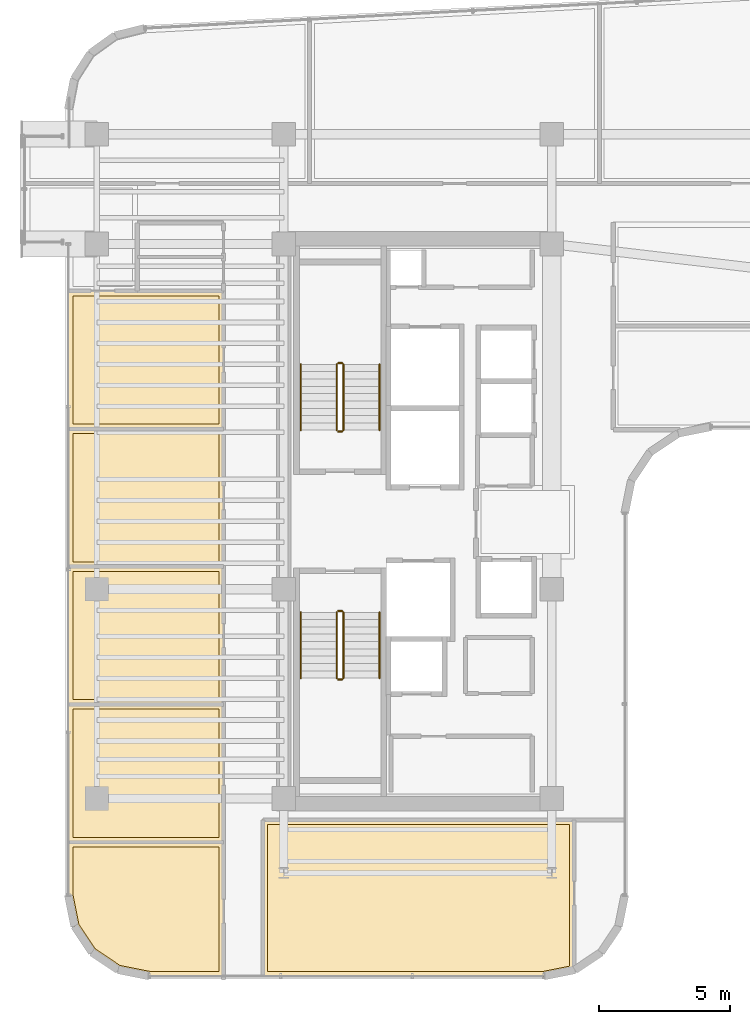
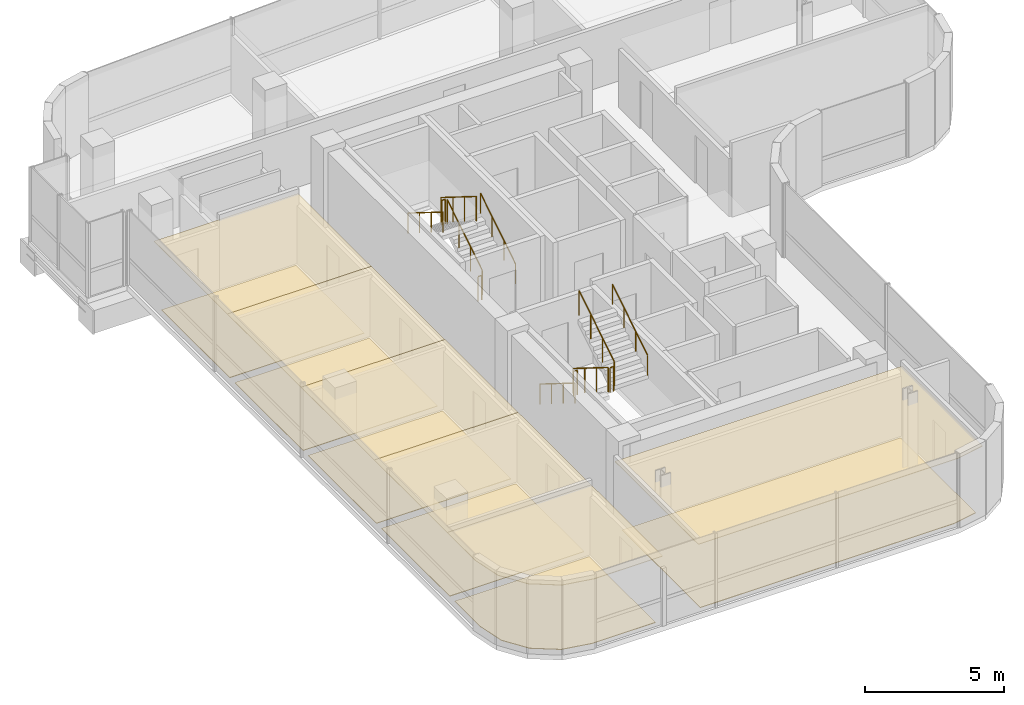
# One storey, part 20 of 21: 12 coverings, 12 railings.
"""IFC4 building model written with IfcOpenShell, lengths in metres."""

from ifc_helpers import new_model, si_unit, direction, frame, origin, origin_2d, place, context, subcontext, project, spatial, polyline, circle, outline, extrude, material, layer, layer_set, type_object, element, save


model = new_model("IFC4")

# Units and contexts
model_context = context("Model", 3, precision=1e-05, world=origin(), true_north=direction((0.0, 1.0)))
body_context = subcontext(model_context, "Body", "Model", "MODEL_VIEW")
ifc_project = project(units=[si_unit("LENGTHUNIT", "METRE"), si_unit("AREAUNIT", "SQUARE_METRE"), si_unit("VOLUMEUNIT", "CUBIC_METRE"), si_unit("PLANEANGLEUNIT", "RADIAN"), si_unit("MASSUNIT", "GRAM", prefix="KILO")], contexts=[model_context])

# Site, building, storey
site_placement = place(None, origin())
site = spatial("IfcSite", under=ifc_project, at=site_placement, CompositionType="ELEMENT")
building_placement = place(site_placement, origin())
building = spatial("IfcBuilding", under=site, at=building_placement, Name="Valdorenza Pilgrim Sanctuary Tower", CompositionType="ELEMENT")
storey_placement = place(building_placement, frame((0.0, 0.0, 219.5)))
storey = spatial("IfcBuildingStorey", under=building, at=storey_placement, Name="L56", CompositionType="ELEMENT", Elevation=219.5)

# Coverings
ifc_material_1 = material(Name="Micro-perforated acoustic mineral ceiling tile", Category="gypsum")
ifc_layer_1 = layer(ifc_material_1, 0.02490234375, Name="Micro-perforated acoustic mineral ceiling tile")
ifc_layer_set_1 = layer_set([ifc_layer_1], Name="Micro-perforated acoustic mineral ceiling tile")
covering_type_1 = type_object("IfcCoveringType", Name="COV-CLG-ACU", PredefinedType="CEILING", material=ifc_layer_set_1)
covering_1_placement = place(storey_placement, frame((0.0, 0.0, 2.9599609375)))
element("IfcCovering", 1, at=covering_1_placement, inside=storey, type_object=covering_type_1, Name="L56 Pilgrim Scholar Office L56-W1 Acoustic Ceiling", PredefinedType="CEILING", context=body_context, shape_type="SweptSolid", body=[
    extrude(outline(polyline([(-24.93505859375, -17.389892578125), (-24.93505859375, -17.3916015625), (-24.935302734375, -17.392822265625), (-24.935546875, -17.394287109375), (-24.93603515625, -17.395751953125), (-24.936767578125, -17.397216796875), (-24.9375, -17.398193359375), (-24.9384765625, -17.3994140625), (-24.939453125, -17.400634765625), (-24.9404296875, -17.401611328125), (-24.941650390625, -17.402587890625), (-24.94287109375, -17.4033203125), (-24.9443359375, -17.40380859375), (-24.945556640625, -17.404296875), (-24.947021484375, -17.40478515625), (-24.948486328125, -17.40478515625), (-24.949951171875, -17.405029296875), (-27.789306640625, -17.405029296875), (-27.79052734375, -17.40478515625), (-27.7919921875, -17.40478515625), (-28.984619140625, -17.16748046875), (-28.986083984375, -17.1669921875), (-28.9873046875, -17.16650390625), (-28.98876953125, -17.166015625), (-28.989990234375, -17.165283203125), (-29.99169921875, -16.495849609375), (-29.992919921875, -16.4951171875), (-29.993896484375, -16.493896484375), (-29.9951171875, -16.492919921875), (-29.995849609375, -16.49169921875), (-30.665283203125, -15.489990234375), (-30.666015625, -15.48876953125), (-30.66650390625, -15.4873046875), (-30.6669921875, -15.486083984375), (-30.66748046875, -15.484619140625), (-30.90478515625, -14.2919921875), (-30.90478515625, -14.29052734375), (-30.905029296875, -14.289306640625), (-30.905029296875, -12.27197265625), (-30.90478515625, -12.2705078125), (-30.90478515625, -12.26904296875), (-30.904296875, -12.267578125), (-30.90380859375, -12.266357421875), (-30.9033203125, -12.264892578125), (-30.902587890625, -12.263671875), (-30.901611328125, -12.262451171875), (-30.900634765625, -12.261474609375), (-30.8994140625, -12.260498046875), (-30.898193359375, -12.259521484375), (-30.897216796875, -12.2587890625), (-30.895751953125, -12.258056640625), (-30.894287109375, -12.257568359375), (-30.892822265625, -12.25732421875), (-30.8916015625, -12.257080078125), (-30.889892578125, -12.257080078125), (-24.949951171875, -12.257080078125), (-24.948486328125, -12.257080078125), (-24.947021484375, -12.25732421875), (-24.945556640625, -12.257568359375), (-24.9443359375, -12.258056640625), (-24.94287109375, -12.2587890625), (-24.941650390625, -12.259521484375), (-24.9404296875, -12.260498046875), (-24.939453125, -12.261474609375), (-24.9384765625, -12.262451171875), (-24.9375, -12.263671875), (-24.936767578125, -12.264892578125), (-24.93603515625, -12.266357421875), (-24.935546875, -12.267578125), (-24.935302734375, -12.26904296875), (-24.93505859375, -12.2705078125), (-24.93505859375, -12.27197265625), (-24.93505859375, -17.389892578125)])), origin(), (0.0, 0.0, 1.0), 0.025146484375),
])
covering_2_placement = place(storey_placement, frame((0.0, 0.0, 2.9599609375)))
element("IfcCovering", 2, at=covering_2_placement, inside=storey, type_object=covering_type_1, Name="L56 Pilgrim Scholar Office L56-W2 Acoustic Ceiling", PredefinedType="CEILING", context=body_context, shape_type="SweptSolid", body=[
    extrude(outline(polyline([(-24.93505859375, -12.27001953125), (-24.93505859375, -12.271484375), (-24.935302734375, -12.27294921875), (-24.935546875, -12.2744140625), (-24.93603515625, -12.275634765625), (-24.936767578125, -12.277099609375), (-24.9375, -12.2783203125), (-24.9384765625, -12.279541015625), (-24.939453125, -12.280517578125), (-24.9404296875, -12.281494140625), (-24.941650390625, -12.282470703125), (-24.94287109375, -12.283203125), (-24.9443359375, -12.283935546875), (-24.945556640625, -12.284423828125), (-24.947021484375, -12.28466796875), (-24.948486328125, -12.284912109375), (-24.949951171875, -12.284912109375), (-30.889892578125, -12.284912109375), (-30.8916015625, -12.284912109375), (-30.892822265625, -12.28466796875), (-30.894287109375, -12.284423828125), (-30.895751953125, -12.283935546875), (-30.897216796875, -12.283203125), (-30.898193359375, -12.282470703125), (-30.8994140625, -12.281494140625), (-30.900634765625, -12.280517578125), (-30.901611328125, -12.279541015625), (-30.902587890625, -12.2783203125), (-30.9033203125, -12.277099609375), (-30.90380859375, -12.275634765625), (-30.904296875, -12.2744140625), (-30.90478515625, -12.27294921875), (-30.90478515625, -12.271484375), (-30.905029296875, -12.27001953125), (-30.905029296875, -7.00390625), (-30.90478515625, -7.00244140625), (-30.90478515625, -7.001220703125), (-30.904296875, -6.99951171875), (-30.90380859375, -6.998291015625), (-30.9033203125, -6.996826171875), (-30.902587890625, -6.99560546875), (-30.901611328125, -6.994384765625), (-30.900634765625, -6.993408203125), (-30.8994140625, -6.992431640625), (-30.898193359375, -6.991455078125), (-30.897216796875, -6.99072265625), (-30.895751953125, -6.989990234375), (-30.894287109375, -6.989501953125), (-30.892822265625, -6.9892578125), (-30.8916015625, -6.989013671875), (-30.889892578125, -6.989013671875), (-24.949951171875, -6.989013671875), (-24.948486328125, -6.989013671875), (-24.947021484375, -6.9892578125), (-24.945556640625, -6.989501953125), (-24.9443359375, -6.989990234375), (-24.94287109375, -6.99072265625), (-24.941650390625, -6.991455078125), (-24.9404296875, -6.992431640625), (-24.939453125, -6.993408203125), (-24.9384765625, -6.994384765625), (-24.9375, -6.99560546875), (-24.936767578125, -6.996826171875), (-24.93603515625, -6.998291015625), (-24.935546875, -6.99951171875), (-24.935302734375, -7.001220703125), (-24.93505859375, -7.00244140625), (-24.93505859375, -7.00390625), (-24.93505859375, -12.27001953125)])), origin(), (0.0, 0.0, 1.0), 0.025146484375),
])
covering_3_placement = place(storey_placement, frame((0.0, 0.0, 2.9599609375)))
element("IfcCovering", 3, at=covering_3_placement, inside=storey, type_object=covering_type_1, Name="L56 Pilgrim Scholar Office L56-W3 Acoustic Ceiling", PredefinedType="CEILING", context=body_context, shape_type="SweptSolid", body=[
    extrude(outline(polyline([(-24.93505859375, -7.001953125), (-24.93505859375, -7.00341796875), (-24.935302734375, -7.0048828125), (-24.935546875, -7.00634765625), (-24.93603515625, -7.0078125), (-24.936767578125, -7.009033203125), (-24.9375, -7.01025390625), (-24.9384765625, -7.011474609375), (-24.939453125, -7.0126953125), (-24.9404296875, -7.013671875), (-24.941650390625, -7.014404296875), (-24.94287109375, -7.01513671875), (-24.9443359375, -7.015869140625), (-24.945556640625, -7.016357421875), (-24.947021484375, -7.0166015625), (-24.948486328125, -7.016845703125), (-24.949951171875, -7.01708984375), (-30.889892578125, -7.01708984375), (-30.8916015625, -7.016845703125), (-30.892822265625, -7.0166015625), (-30.894287109375, -7.016357421875), (-30.895751953125, -7.015869140625), (-30.897216796875, -7.01513671875), (-30.898193359375, -7.014404296875), (-30.8994140625, -7.013671875), (-30.900634765625, -7.0126953125), (-30.901611328125, -7.011474609375), (-30.902587890625, -7.01025390625), (-30.9033203125, -7.009033203125), (-30.90380859375, -7.0078125), (-30.904296875, -7.00634765625), (-30.90478515625, -7.0048828125), (-30.90478515625, -7.00341796875), (-30.905029296875, -7.001953125), (-30.905029296875, -1.736083984375), (-30.90478515625, -1.734619140625), (-30.90478515625, -1.733154296875), (-30.904296875, -1.731689453125), (-30.90380859375, -1.730224609375), (-30.9033203125, -1.72900390625), (-30.902587890625, -1.727783203125), (-30.901611328125, -1.7265625), (-30.900634765625, -1.725341796875), (-30.8994140625, -1.724365234375), (-30.898193359375, -1.723388671875), (-30.897216796875, -1.722900390625), (-30.895751953125, -1.72216796875), (-30.894287109375, -1.7216796875), (-30.892822265625, -1.72119140625), (-30.8916015625, -1.72119140625), (-30.889892578125, -1.720947265625), (-24.949951171875, -1.720947265625), (-24.948486328125, -1.72119140625), (-24.947021484375, -1.72119140625), (-24.945556640625, -1.7216796875), (-24.9443359375, -1.72216796875), (-24.94287109375, -1.722900390625), (-24.941650390625, -1.723388671875), (-24.9404296875, -1.724365234375), (-24.939453125, -1.725341796875), (-24.9384765625, -1.7265625), (-24.9375, -1.727783203125), (-24.936767578125, -1.72900390625), (-24.93603515625, -1.730224609375), (-24.935546875, -1.731689453125), (-24.935302734375, -1.733154296875), (-24.93505859375, -1.734619140625), (-24.93505859375, -1.736083984375), (-24.93505859375, -7.001953125)])), origin(), (0.0, 0.0, 1.0), 0.025146484375),
])
covering_4_placement = place(storey_placement, frame((0.0, 0.0, 2.9599609375)))
element("IfcCovering", 4, at=covering_4_placement, inside=storey, type_object=covering_type_1, Name="L56 Pilgrim Scholar Office L56-W4 Acoustic Ceiling", PredefinedType="CEILING", context=body_context, shape_type="SweptSolid", body=[
    extrude(outline(polyline([(-24.93505859375, -1.73388671875), (-24.93505859375, -1.735595703125), (-24.935302734375, -1.73681640625), (-24.935546875, -1.73828125), (-24.93603515625, -1.73974609375), (-24.936767578125, -1.7412109375), (-24.9375, -1.7421875), (-24.9384765625, -1.743408203125), (-24.939453125, -1.74462890625), (-24.9404296875, -1.74560546875), (-24.941650390625, -1.74658203125), (-24.94287109375, -1.747314453125), (-24.9443359375, -1.747802734375), (-24.945556640625, -1.748291015625), (-24.947021484375, -1.748779296875), (-24.948486328125, -1.748779296875), (-24.949951171875, -1.7490234375), (-30.889892578125, -1.7490234375), (-30.8916015625, -1.748779296875), (-30.892822265625, -1.748779296875), (-30.894287109375, -1.748291015625), (-30.895751953125, -1.747802734375), (-30.897216796875, -1.747314453125), (-30.898193359375, -1.74658203125), (-30.8994140625, -1.74560546875), (-30.900634765625, -1.74462890625), (-30.901611328125, -1.743408203125), (-30.902587890625, -1.7421875), (-30.9033203125, -1.7412109375), (-30.90380859375, -1.73974609375), (-30.904296875, -1.73828125), (-30.90478515625, -1.73681640625), (-30.90478515625, -1.735595703125), (-30.905029296875, -1.73388671875), (-30.905029296875, 3.531982421875), (-30.90478515625, 3.533447265625), (-30.90478515625, 3.534912109375), (-30.904296875, 3.536376953125), (-30.90380859375, 3.53759765625), (-30.9033203125, 3.5390625), (-30.902587890625, 3.540283203125), (-30.901611328125, 3.54150390625), (-30.900634765625, 3.54248046875), (-30.8994140625, 3.543701171875), (-30.898193359375, 3.54443359375), (-30.897216796875, 3.545166015625), (-30.895751953125, 3.5458984375), (-30.894287109375, 3.54638671875), (-30.892822265625, 3.546630859375), (-30.8916015625, 3.546875), (-30.889892578125, 3.547119140625), (-24.949951171875, 3.547119140625), (-24.948486328125, 3.546875), (-24.947021484375, 3.546630859375), (-24.945556640625, 3.54638671875), (-24.9443359375, 3.5458984375), (-24.94287109375, 3.545166015625), (-24.941650390625, 3.54443359375), (-24.9404296875, 3.543701171875), (-24.939453125, 3.54248046875), (-24.9384765625, 3.54150390625), (-24.9375, 3.540283203125), (-24.936767578125, 3.5390625), (-24.93603515625, 3.53759765625), (-24.935546875, 3.536376953125), (-24.935302734375, 3.534912109375), (-24.93505859375, 3.533447265625), (-24.93505859375, 3.531982421875), (-24.93505859375, -1.73388671875)])), origin(), (0.0, 0.0, 1.0), 0.025146484375),
])
covering_5_placement = place(storey_placement, frame((0.0, 0.0, 2.9599609375)))
element("IfcCovering", 5, at=covering_5_placement, inside=storey, type_object=covering_type_1, Name="L56 Pilgrim Scholar Office L56-W5 Acoustic Ceiling", PredefinedType="CEILING", context=body_context, shape_type="SweptSolid", body=[
    extrude(outline(polyline([(-28.253662109375, 8.81298828125), (-28.253173828125, 8.81298828125), (-28.25146484375, 8.813232421875), (-28.25, 8.813232421875), (-28.24853515625, 8.81298828125), (-28.248291015625, 8.81298828125), (-24.949951171875, 8.81298828125), (-24.948486328125, 8.81298828125), (-24.947021484375, 8.812744140625), (-24.945556640625, 8.8125), (-24.9443359375, 8.81201171875), (-24.94287109375, 8.811279296875), (-24.941650390625, 8.810546875), (-24.9404296875, 8.8095703125), (-24.939453125, 8.80859375), (-24.9384765625, 8.8076171875), (-24.9375, 8.806396484375), (-24.936767578125, 8.80517578125), (-24.93603515625, 8.8037109375), (-24.935546875, 8.802490234375), (-24.935302734375, 8.80078125), (-24.93505859375, 8.799560546875), (-24.93505859375, 8.798095703125), (-24.93505859375, 3.533935546875), (-24.93505859375, 3.532470703125), (-24.935302734375, 3.531005859375), (-24.935546875, 3.529541015625), (-24.93603515625, 3.5283203125), (-24.936767578125, 3.52685546875), (-24.9375, 3.525634765625), (-24.9384765625, 3.5244140625), (-24.939453125, 3.5234375), (-24.9404296875, 3.5224609375), (-24.941650390625, 3.521484375), (-24.94287109375, 3.520751953125), (-24.9443359375, 3.52001953125), (-24.945556640625, 3.51953125), (-24.947021484375, 3.519287109375), (-24.948486328125, 3.51904296875), (-24.949951171875, 3.51904296875), (-30.889892578125, 3.51904296875), (-30.8916015625, 3.51904296875), (-30.892822265625, 3.519287109375), (-30.894287109375, 3.51953125), (-30.895751953125, 3.52001953125), (-30.897216796875, 3.520751953125), (-30.898193359375, 3.521484375), (-30.8994140625, 3.5224609375), (-30.900634765625, 3.5234375), (-30.901611328125, 3.5244140625), (-30.902587890625, 3.525634765625), (-30.9033203125, 3.52685546875), (-30.90380859375, 3.5283203125), (-30.904296875, 3.529541015625), (-30.90478515625, 3.531005859375), (-30.90478515625, 3.532470703125), (-30.905029296875, 3.533935546875), (-30.905029296875, 8.798095703125), (-30.90478515625, 8.799560546875), (-30.90478515625, 8.80078125), (-30.904296875, 8.802490234375), (-30.90380859375, 8.8037109375), (-30.9033203125, 8.80517578125), (-30.902587890625, 8.806396484375), (-30.901611328125, 8.8076171875), (-30.900634765625, 8.80859375), (-30.8994140625, 8.8095703125), (-30.898193359375, 8.810546875), (-30.897216796875, 8.811279296875), (-30.895751953125, 8.81201171875), (-30.894287109375, 8.8125), (-30.892822265625, 8.812744140625), (-30.8916015625, 8.81298828125), (-30.889892578125, 8.81298828125), (-28.253662109375, 8.81298828125)])), origin(), (0.0, 0.0, 1.0), 0.025146484375),
])
covering_6_placement = place(storey_placement, frame((0.0, 0.0, 2.9599609375)))
element("IfcCovering", 6, at=covering_6_placement, inside=storey, type_object=covering_type_1, Name="L56 South Contemplation Lounge L56 Acoustic Ceiling", PredefinedType="CEILING", context=body_context, shape_type="SweptSolid", body=[
    extrude(outline(polyline([(-11.550048828125, -11.405029296875), (-11.548583984375, -11.405029296875), (-11.547119140625, -11.4052734375), (-11.545654296875, -11.405517578125), (-11.544189453125, -11.406005859375), (-11.54296875, -11.40673828125), (-11.541748046875, -11.407470703125), (-11.54052734375, -11.408447265625), (-11.539306640625, -11.409423828125), (-11.538330078125, -11.410400390625), (-11.53759765625, -11.41162109375), (-11.536865234375, -11.412841796875), (-11.5361328125, -11.414306640625), (-11.53564453125, -11.41552734375), (-11.535400390625, -11.4169921875), (-11.53515625, -11.41845703125), (-11.534912109375, -11.419921875), (-11.534912109375, -17.1591796875), (-11.53515625, -17.16064453125), (-11.535400390625, -17.162109375), (-11.53564453125, -17.163330078125), (-11.5361328125, -17.164794921875), (-11.536865234375, -17.166259765625), (-11.53759765625, -17.16748046875), (-11.538330078125, -17.168701171875), (-11.539306640625, -17.169677734375), (-11.54052734375, -17.170654296875), (-11.541748046875, -17.171630859375), (-11.54296875, -17.17236328125), (-11.544189453125, -17.1728515625), (-11.545654296875, -17.17333984375), (-11.547119140625, -17.173828125), (-12.7080078125, -17.40478515625), (-12.70947265625, -17.40478515625), (-12.710693359375, -17.405029296875), (-23.449951171875, -17.405029296875), (-23.451416015625, -17.40478515625), (-23.452880859375, -17.40478515625), (-23.454345703125, -17.404296875), (-23.455810546875, -17.40380859375), (-23.45703125, -17.4033203125), (-23.458251953125, -17.402587890625), (-23.45947265625, -17.401611328125), (-23.460693359375, -17.400634765625), (-23.461669921875, -17.3994140625), (-23.46240234375, -17.398193359375), (-23.463134765625, -17.397216796875), (-23.4638671875, -17.395751953125), (-23.46435546875, -17.394287109375), (-23.464599609375, -17.392822265625), (-23.46484375, -17.3916015625), (-23.465087890625, -17.389892578125), (-23.465087890625, -11.419921875), (-23.46484375, -11.41845703125), (-23.464599609375, -11.4169921875), (-23.46435546875, -11.41552734375), (-23.4638671875, -11.414306640625), (-23.463134765625, -11.412841796875), (-23.46240234375, -11.41162109375), (-23.461669921875, -11.410400390625), (-23.460693359375, -11.409423828125), (-23.45947265625, -11.408447265625), (-23.458251953125, -11.407470703125), (-23.45703125, -11.40673828125), (-23.455810546875, -11.406005859375), (-23.454345703125, -11.405517578125), (-23.452880859375, -11.4052734375), (-23.451416015625, -11.405029296875), (-23.449951171875, -11.405029296875), (-11.550048828125, -11.405029296875)])), origin(), (0.0, 0.0, 1.0), 0.025146484375),
])
ifc_material_2 = material(Name="Honed travertine stone flooring", Category="masonry")
ifc_layer_2 = layer(ifc_material_2, 0.030029296875, Name="Honed travertine stone flooring")
ifc_layer_set_2 = layer_set([ifc_layer_2], Name="Honed travertine stone flooring")
covering_type_2 = type_object("IfcCoveringType", Name="COV-FLR-TRV", PredefinedType="FLOORING", material=ifc_layer_set_2)
covering_7_placement = place(storey_placement, origin())
element("IfcCovering", 7, at=covering_7_placement, inside=storey, type_object=covering_type_2, Name="L56 Pilgrim Scholar Office L56-W1 Flooring", PredefinedType="FLOORING", context=body_context, shape_type="SweptSolid", body=[
    extrude(outline(polyline([(-25.1298828125, -17.2099609375), (-27.771484375, -17.2099609375), (-28.911376953125, -16.983154296875), (-29.853515625, -16.353515625), (-30.483154296875, -15.411376953125), (-30.7099609375, -14.271484375), (-30.7099609375, -12.451904296875), (-25.1298828125, -12.451904296875), (-25.1298828125, -17.2099609375)])), origin(), (0.0, 0.0, 1.0), 0.02490234375),
])
covering_8_placement = place(storey_placement, origin())
element("IfcCovering", 8, at=covering_8_placement, inside=storey, type_object=covering_type_2, Name="L56 Pilgrim Scholar Office L56-W2 Flooring", PredefinedType="FLOORING", context=body_context, shape_type="SweptSolid", body=[
    extrude(outline(polyline([(-25.1298828125, -12.090087890625), (-30.7099609375, -12.090087890625), (-30.7099609375, -7.18408203125), (-25.1298828125, -7.18408203125), (-25.1298828125, -12.090087890625)])), origin(), (0.0, 0.0, 1.0), 0.02490234375),
])
covering_9_placement = place(storey_placement, origin())
element("IfcCovering", 9, at=covering_9_placement, inside=storey, type_object=covering_type_2, Name="L56 Pilgrim Scholar Office L56-W3 Flooring", PredefinedType="FLOORING", context=body_context, shape_type="SweptSolid", body=[
    extrude(outline(polyline([(-25.1298828125, -6.822021484375), (-30.7099609375, -6.822021484375), (-30.7099609375, -1.916015625), (-25.1298828125, -1.916015625), (-25.1298828125, -6.822021484375)])), origin(), (0.0, 0.0, 1.0), 0.02490234375),
])
covering_10_placement = place(storey_placement, origin())
element("IfcCovering", 10, at=covering_10_placement, inside=storey, type_object=covering_type_2, Name="L56 Pilgrim Scholar Office L56-W4 Flooring", PredefinedType="FLOORING", context=body_context, shape_type="SweptSolid", body=[
    extrude(outline(polyline([(-25.1298828125, -1.553955078125), (-30.7099609375, -1.553955078125), (-30.7099609375, 3.35205078125), (-25.1298828125, 3.35205078125), (-25.1298828125, -1.553955078125)])), origin(), (0.0, 0.0, 1.0), 0.02490234375),
])
covering_11_placement = place(storey_placement, origin())
element("IfcCovering", 11, at=covering_11_placement, inside=storey, type_object=covering_type_2, Name="L56 Pilgrim Scholar Office L56-W5 Flooring", PredefinedType="FLOORING", context=body_context, shape_type="SweptSolid", body=[
    extrude(outline(polyline([(-28.250244140625, 8.617919921875), (-28.25, 8.617919921875), (-25.1298828125, 8.617919921875), (-25.1298828125, 3.714111328125), (-30.7099609375, 3.714111328125), (-30.7099609375, 8.617919921875), (-28.251953125, 8.617919921875), (-28.2509765625, 8.617919921875), (-28.250244140625, 8.617919921875)])), origin(), (0.0, 0.0, 1.0), 0.02490234375),
])
covering_12_placement = place(storey_placement, origin())
element("IfcCovering", 12, at=covering_12_placement, inside=storey, type_object=covering_type_2, Name="L56 South Contemplation Lounge L56 Flooring", PredefinedType="FLOORING", context=body_context, shape_type="SweptSolid", body=[
    extrude(outline(polyline([(-11.72998046875, -11.60009765625), (-11.72998046875, -17.011474609375), (-12.728515625, -17.2099609375), (-23.27001953125, -17.2099609375), (-23.27001953125, -11.60009765625), (-11.72998046875, -11.60009765625)])), origin(), (0.0, 0.0, 1.0), 0.02490234375),
])

# Railings
ifc_material_3 = material(Name="Stainless steel Grade 316", Category="steel")
railing_type_1 = type_object("IfcRailingType", Name="RLG-GRD-1120", PredefinedType="GUARDRAIL", material=ifc_material_3)
railing_1_placement = place(storey_placement, frame((-20.3701171875, 3.47998046875, 0.175048828125)))
element("IfcRailing", 13, at=railing_1_placement, inside=storey, type_object=railing_type_1, Name="L56 ST-A1 stair guard 1", PredefinedType="GUARDRAIL", context=body_context, shape_type="SweptSolid", body=[
    extrude(circle(Radius=0.02392578125, at=origin_2d()), frame((0.0, 0.0, 1.076171875), z_axis=(0.0, 0.848007534815, 0.529984170421), x_axis=(-1.0, 0.0, 0.0)), (0.0, 0.0, 1.0), 2.9716796875),
    extrude(circle(Radius=0.02099609375, at=origin_2d()), origin(), (0.0, 0.0, 1.0), 1.052001953125),
    extrude(circle(Radius=0.02099609375, at=origin_2d()), frame((0.0, 0.840087890625, 0.52490234375)), (0.0, 0.0, 1.0), 1.052001953125),
    extrude(circle(Radius=0.02099609375, at=origin_2d()), frame((0.0, 1.679931640625, 1.050048828125)), (0.0, 0.0, 1.0), 1.052001953125),
    extrude(circle(Radius=0.02099609375, at=origin_2d()), frame((0.0, 2.52001953125, 1.574951171875)), (0.0, 0.0, 1.0), 1.052001953125),
])
railing_2_placement = place(storey_placement, frame((-20.419921875, 6.050048828125, 1.75)))
element("IfcRailing", 14, at=railing_2_placement, inside=storey, type_object=railing_type_1, Name="L56 ST-A1 stair guard 2", PredefinedType="GUARDRAIL", context=body_context, shape_type="SweptSolid", body=[
    extrude(circle(Radius=0.02392578125, at=origin_2d()), frame((0.0, 0.0, 1.076171875), z_axis=(-1.0, 0.0, 0.0), x_axis=(0.0, -1.0, 0.0)), (0.0, 0.0, 1.0), 0.150146484375),
    extrude(circle(Radius=0.02099609375, at=origin_2d()), origin(), (0.0, 0.0, 1.0), 1.052001953125),
    extrude(circle(Radius=0.02099609375, at=origin_2d()), frame((-0.150146484375, 0.0, 0.0)), (0.0, 0.0, 1.0), 1.052001953125),
])
railing_3_placement = place(storey_placement, frame((-20.6201171875, 6.0, 1.925048828125)))
element("IfcRailing", 15, at=railing_3_placement, inside=storey, type_object=railing_type_1, Name="L56 ST-A1 stair guard 3", PredefinedType="GUARDRAIL", context=body_context, shape_type="SweptSolid", body=[
    extrude(circle(Radius=0.02392578125, at=origin_2d()), frame((0.0, 0.0, 1.076171875), z_axis=(0.0, -0.848007534815, 0.529984170421), x_axis=(1.0, 0.0, 0.0)), (0.0, 0.0, 1.0), 2.9716796875),
    extrude(circle(Radius=0.02099609375, at=origin_2d()), origin(), (0.0, 0.0, 1.0), 1.052001953125),
    extrude(circle(Radius=0.02099609375, at=origin_2d()), frame((0.0, -0.840087890625, 0.52490234375)), (0.0, 0.0, 1.0), 1.052001953125),
    extrude(circle(Radius=0.02099609375, at=origin_2d()), frame((0.0, -1.679931640625, 1.050048828125)), (0.0, 0.0, 1.0), 1.052001953125),
    extrude(circle(Radius=0.02099609375, at=origin_2d()), frame((0.0, -2.52001953125, 1.574951171875)), (0.0, 0.0, 1.0), 1.052001953125),
])
railing_4_placement = place(storey_placement, frame((-20.419921875, 3.429931640625, 0.0)))
element("IfcRailing", 16, at=railing_4_placement, inside=storey, type_object=railing_type_1, Name="L56 ST-A1 stair guard 4", PredefinedType="GUARDRAIL", context=body_context, shape_type="SweptSolid", body=[
    extrude(circle(Radius=0.02392578125, at=origin_2d()), frame((0.0, 0.0, 1.076171875), z_axis=(-1.0, 0.0, 0.0), x_axis=(0.0, -1.0, 0.0)), (0.0, 0.0, 1.0), 0.150146484375),
    extrude(circle(Radius=0.02099609375, at=origin_2d()), origin(), (0.0, 0.0, 1.0), 1.052001953125),
    extrude(circle(Radius=0.02099609375, at=origin_2d()), frame((-0.150146484375, 0.0, 0.0)), (0.0, 0.0, 1.0), 1.052001953125),
])
railing_5_placement = place(storey_placement, frame((-20.6201171875, -3.47998046875, 0.175048828125)))
element("IfcRailing", 17, at=railing_5_placement, inside=storey, type_object=railing_type_1, Name="L56 ST-A2 stair guard 1", PredefinedType="GUARDRAIL", context=body_context, shape_type="SweptSolid", body=[
    extrude(circle(Radius=0.02392578125, at=origin_2d()), frame((0.0, 0.0, 1.076171875), z_axis=(0.0, -0.848007534815, 0.529984170421), x_axis=(1.0, 0.0, 0.0)), (0.0, 0.0, 1.0), 2.9716796875),
    extrude(circle(Radius=0.02099609375, at=origin_2d()), origin(), (0.0, 0.0, 1.0), 1.052001953125),
    extrude(circle(Radius=0.02099609375, at=origin_2d()), frame((0.0, -0.840087890625, 0.52490234375)), (0.0, 0.0, 1.0), 1.052001953125),
    extrude(circle(Radius=0.02099609375, at=origin_2d()), frame((0.0, -1.679931640625, 1.050048828125)), (0.0, 0.0, 1.0), 1.052001953125),
    extrude(circle(Radius=0.02099609375, at=origin_2d()), frame((0.0, -2.52001953125, 1.574951171875)), (0.0, 0.0, 1.0), 1.052001953125),
])
railing_6_placement = place(storey_placement, frame((-20.570068359375, -6.050048828125, 1.75)))
element("IfcRailing", 18, at=railing_6_placement, inside=storey, type_object=railing_type_1, Name="L56 ST-A2 stair guard 2", PredefinedType="GUARDRAIL", context=body_context, shape_type="SweptSolid", body=[
    extrude(circle(Radius=0.02392578125, at=origin_2d()), frame((0.0, 0.0, 1.076171875), z_axis=(1.0, 0.0, 0.0), x_axis=(0.0, 1.0, 0.0)), (0.0, 0.0, 1.0), 0.150146484375),
    extrude(circle(Radius=0.02099609375, at=origin_2d()), origin(), (0.0, 0.0, 1.0), 1.052001953125),
    extrude(circle(Radius=0.02099609375, at=origin_2d()), frame((0.150146484375, 0.0, 0.0)), (0.0, 0.0, 1.0), 1.052001953125),
])
railing_7_placement = place(storey_placement, frame((-20.3701171875, -6.0, 1.925048828125)))
element("IfcRailing", 19, at=railing_7_placement, inside=storey, type_object=railing_type_1, Name="L56 ST-A2 stair guard 3", PredefinedType="GUARDRAIL", context=body_context, shape_type="SweptSolid", body=[
    extrude(circle(Radius=0.02392578125, at=origin_2d()), frame((0.0, 0.0, 1.076171875), z_axis=(0.0, 0.848007534815, 0.529984170421), x_axis=(-1.0, 0.0, 0.0)), (0.0, 0.0, 1.0), 2.9716796875),
    extrude(circle(Radius=0.02099609375, at=origin_2d()), origin(), (0.0, 0.0, 1.0), 1.052001953125),
    extrude(circle(Radius=0.02099609375, at=origin_2d()), frame((0.0, 0.840087890625, 0.52490234375)), (0.0, 0.0, 1.0), 1.052001953125),
    extrude(circle(Radius=0.02099609375, at=origin_2d()), frame((0.0, 1.679931640625, 1.050048828125)), (0.0, 0.0, 1.0), 1.052001953125),
    extrude(circle(Radius=0.02099609375, at=origin_2d()), frame((0.0, 2.52001953125, 1.574951171875)), (0.0, 0.0, 1.0), 1.052001953125),
])
railing_8_placement = place(storey_placement, frame((-20.570068359375, -3.429931640625, 0.0)))
element("IfcRailing", 20, at=railing_8_placement, inside=storey, type_object=railing_type_1, Name="L56 ST-A2 stair guard 4", PredefinedType="GUARDRAIL", context=body_context, shape_type="SweptSolid", body=[
    extrude(circle(Radius=0.02392578125, at=origin_2d()), frame((0.0, 0.0, 1.076171875), z_axis=(1.0, 0.0, 0.0), x_axis=(0.0, 1.0, 0.0)), (0.0, 0.0, 1.0), 0.150146484375),
    extrude(circle(Radius=0.02099609375, at=origin_2d()), origin(), (0.0, 0.0, 1.0), 1.052001953125),
    extrude(circle(Radius=0.02099609375, at=origin_2d()), frame((0.150146484375, 0.0, 0.0)), (0.0, 0.0, 1.0), 1.052001953125),
])
ifc_material_4 = material(Name="Brushed stainless steel Grade 316", Category="steel")
railing_type_2 = type_object("IfcRailingType", Name="RLG-HND-920", PredefinedType="HANDRAIL", material=ifc_material_4)
railing_9_placement = place(storey_placement, frame((-18.989990234375, 3.47998046875, 0.175048828125)))
element("IfcRailing", 21, at=railing_9_placement, inside=storey, type_object=railing_type_2, Name="L56 ST-A1 stair handrail 1", PredefinedType="HANDRAIL", context=body_context, shape_type="SweptSolid", body=[
    extrude(circle(Radius=0.02392578125, at=origin_2d()), frame((0.0, 0.0, 0.8759765625), z_axis=(0.0, 0.848007534815, 0.529984170421), x_axis=(-1.0, 0.0, 0.0)), (0.0, 0.0, 1.0), 2.9716796875),
    extrude(circle(Radius=0.02099609375, at=origin_2d()), origin(), (0.0, 0.0, 1.0), 0.851806640625),
    extrude(circle(Radius=0.02099609375, at=origin_2d()), frame((0.0, 0.840087890625, 0.52490234375)), (0.0, 0.0, 1.0), 0.851806640625),
    extrude(circle(Radius=0.02099609375, at=origin_2d()), frame((0.0, 1.679931640625, 1.050048828125)), (0.0, 0.0, 1.0), 0.851806640625),
    extrude(circle(Radius=0.02099609375, at=origin_2d()), frame((0.0, 2.52001953125, 1.574951171875)), (0.0, 0.0, 1.0), 0.851806640625),
])
for number, where, name in (
    (22, (-22.0, 6.0, 1.925048828125), "L56 ST-A1 stair handrail 2"),
    (23, (-22.0, -3.47998046875, 0.175048828125), "L56 ST-A2 stair handrail 1"),
):
    element("IfcRailing", number, at=place(storey_placement, frame(where)), inside=storey, type_object=railing_type_2, Name=name, PredefinedType="HANDRAIL", context=body_context, shape_type="SweptSolid", body=[
        extrude(circle(Radius=0.02392578125, at=origin_2d()), frame((0.0, 0.0, 0.8759765625), z_axis=(0.0, -0.848007534815, 0.529984170421), x_axis=(1.0, 0.0, 0.0)), (0.0, 0.0, 1.0), 2.9716796875),
        extrude(circle(Radius=0.02099609375, at=origin_2d()), origin(), (0.0, 0.0, 1.0), 0.851806640625),
        extrude(circle(Radius=0.02099609375, at=origin_2d()), frame((0.0, -0.840087890625, 0.52490234375)), (0.0, 0.0, 1.0), 0.851806640625),
        extrude(circle(Radius=0.02099609375, at=origin_2d()), frame((0.0, -1.679931640625, 1.050048828125)), (0.0, 0.0, 1.0), 0.851806640625),
        extrude(circle(Radius=0.02099609375, at=origin_2d()), frame((0.0, -2.52001953125, 1.574951171875)), (0.0, 0.0, 1.0), 0.851806640625),
    ])
railing_10_placement = place(storey_placement, frame((-18.989990234375, -6.0, 1.925048828125)))
element("IfcRailing", 24, at=railing_10_placement, inside=storey, type_object=railing_type_2, Name="L56 ST-A2 stair handrail 2", PredefinedType="HANDRAIL", context=body_context, shape_type="SweptSolid", body=[
    extrude(circle(Radius=0.02392578125, at=origin_2d()), frame((0.0, 0.0, 0.8759765625), z_axis=(0.0, 0.848007534815, 0.529984170421), x_axis=(-1.0, 0.0, 0.0)), (0.0, 0.0, 1.0), 2.9716796875),
    extrude(circle(Radius=0.02099609375, at=origin_2d()), origin(), (0.0, 0.0, 1.0), 0.851806640625),
    extrude(circle(Radius=0.02099609375, at=origin_2d()), frame((0.0, 0.840087890625, 0.52490234375)), (0.0, 0.0, 1.0), 0.851806640625),
    extrude(circle(Radius=0.02099609375, at=origin_2d()), frame((0.0, 1.679931640625, 1.050048828125)), (0.0, 0.0, 1.0), 0.851806640625),
    extrude(circle(Radius=0.02099609375, at=origin_2d()), frame((0.0, 2.52001953125, 1.574951171875)), (0.0, 0.0, 1.0), 0.851806640625),
])

save(model, "model.ifc")
